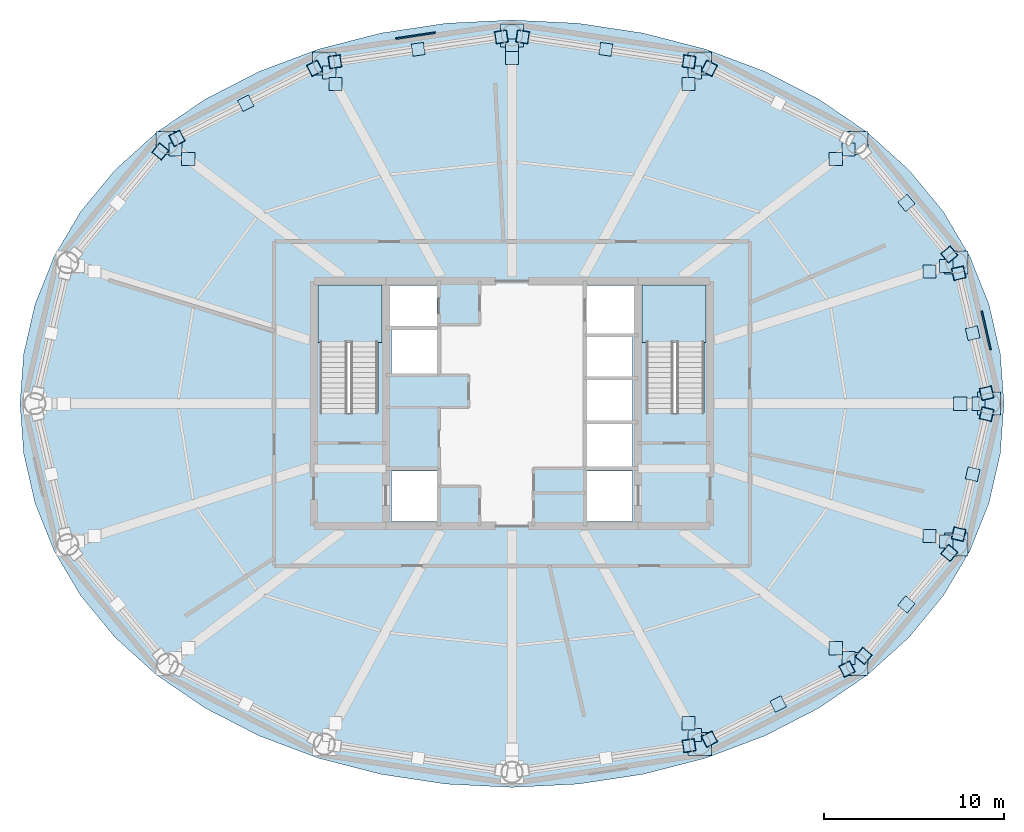
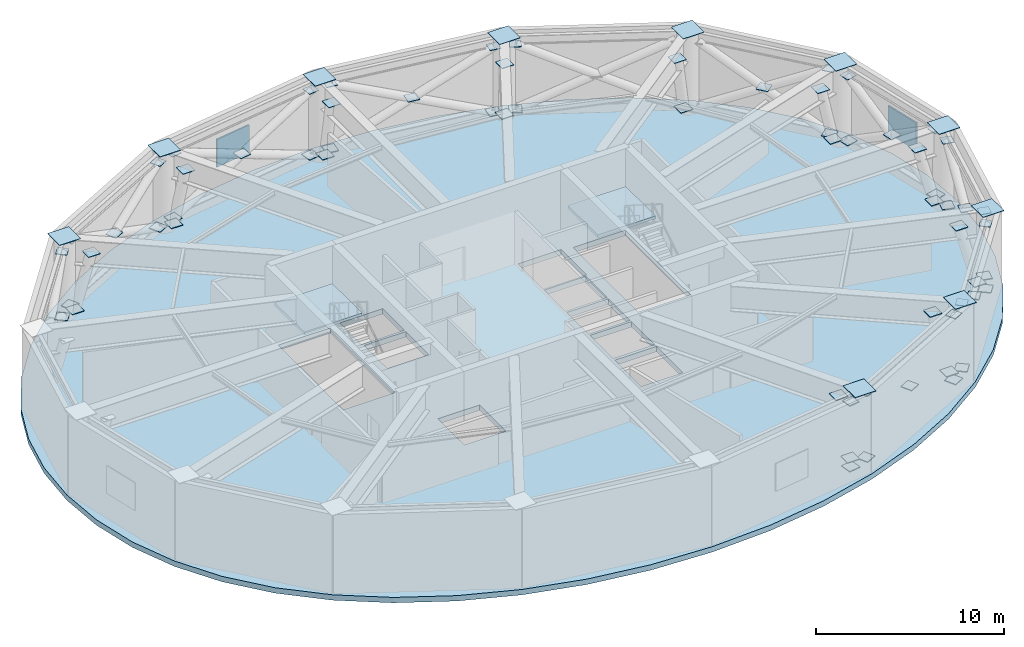
# One storey, part 4 of 8: 76 plates, 3 slabs, 2 elements without a shape of their own.
"""IFC4 building model written with IfcOpenShell, lengths in metres."""

from ifc_helpers import new_model, si_unit, direction, frame, origin, origin_2d, place, context, subcontext, project, spatial, polyline, rectangle, outline, extrude, material, layer, layer_set, type_object, element, aggregate, save


model = new_model("IFC4")

# Units and contexts
model_context = context("Model", 3, precision=1e-05, world=origin(), true_north=direction((0.0, 1.0)))
body_context = subcontext(model_context, "Body", "Model", "MODEL_VIEW")
ifc_project = project(units=[si_unit("LENGTHUNIT", "METRE"), si_unit("AREAUNIT", "SQUARE_METRE"), si_unit("VOLUMEUNIT", "CUBIC_METRE"), si_unit("PLANEANGLEUNIT", "RADIAN"), si_unit("MASSUNIT", "GRAM", prefix="KILO")], contexts=[model_context])

# Site, building, storey
site_placement = place(None, origin())
site = spatial("IfcSite", under=ifc_project, at=site_placement, CompositionType="ELEMENT")
building_placement = place(site_placement, origin())
building = spatial("IfcBuilding", under=site, at=building_placement, Name="Sarneth Arch Tower", CompositionType="ELEMENT")
storey_placement = place(building_placement, frame((0.0, 0.0, 201.0)))
storey = spatial("IfcBuildingStorey", under=building, at=storey_placement, Name="L51", CompositionType="ELEMENT", Elevation=201.0)

# Plates
ifc_material_1 = material(Name="Powder-coated Aluminium 6063-T6 stormproof acoustic louvre", Category="aluminium")
ifc_layer_1 = layer(ifc_material_1, 0.094970703125)
ifc_layer_set_1 = layer_set([ifc_layer_1], Name="Powder-coated Aluminium 6063-T6 stormproof acoustic louvre")
plate_type_1 = type_object("IfcPlateType", Name="LOUVRE-PLANT", PredefinedType="SHEET", material=ifc_layer_set_1)
for number, where, z_axis, x_axis, name in (
    (1, (74.31201171875, 46.0673828125, 1.6748046875), (0.0, 0.0, 1.0), (-0.225461202458, 0.974252147129, 0.0), "L51 Mechanical louvre 01"),
    (2, (42.646240234375, 62.426025390625, 1.6748046875), (0.0, 0.0, 1.0), (-0.988860535448, -0.148845024885, 0.0), "L51 Mechanical louvre 05"),
):
    element("IfcPlate", number, at=place(storey_placement, frame(where, z_axis=z_axis, x_axis=x_axis)), inside=storey, type_object=plate_type_1, Name=name, PredefinedType="SHEET", context=body_context, shape_type="SweptSolid", body=[
        extrude(rectangle(XDim=2.199951171875, YDim=0.094970703125, at=origin_2d()), origin(), (0.0, 0.0, 1.0), 1.800048828125),
    ])
ifc_material_2 = material(Name="Steel S355", Category="steel")
ifc_layer_2 = layer(ifc_material_2, 0.035888671875)
ifc_layer_set_2 = layer_set([ifc_layer_2], Name="Steel S355")
plate_type_2 = type_object("IfcPlateType", Name="PLT-GUSSET-30", PredefinedType="SHEET", material=ifc_layer_set_2)
plate_1_placement = place(storey_placement, frame((73.574462890625, 45.912841796875, 2.44775390625), z_axis=(0.0, 0.0, 1.0), x_axis=(-0.227161248969, 0.973857159427, 0.0)))
element("IfcPlate", 3, at=plate_1_placement, inside=storey, type_object=plate_type_2, Name="Steel end cap plate GP-1", PredefinedType="SHEET", context=body_context, shape_type="SweptSolid", body=[
    extrude(rectangle(XDim=0.679931640625, YDim=0.679931640625, at=origin_2d()), origin(), (0.0, 0.0, 1.0), 0.035888671875),
])
for number, where, z_axis, x_axis, name in (
    (4, (74.350830078125, 42.584228515625, 0.33203125), (0.0, 0.0, 1.0), (0.227161248969, -0.973857159427, 0.0), "Steel end cap plate GP-1"),
    (5, (72.79833984375, 49.241455078125, 0.33203125), (0.0, 0.0, 1.0), (-0.227161248969, 0.973857159427, 0.0), "Steel end cap plate GP-1"),
):
    element("IfcPlate", number, at=place(storey_placement, frame(where, z_axis=z_axis, x_axis=x_axis)), inside=storey, type_object=plate_type_2, Name=name, PredefinedType="SHEET", context=body_context, shape_type="SweptSolid", body=[
        extrude(rectangle(XDim=0.699951171875, YDim=0.699951171875, at=origin_2d()), origin(), (0.0, 0.0, 1.0), 0.035888671875),
    ])
for number, where, z_axis, x_axis, name in (
    (6, (74.350830078125, 42.584228515625, 4.56298828125), (0.0, 0.0, 1.0), (0.227161248969, -0.973857159427, 0.0), "Steel end cap plate GP-1"),
    (7, (72.79833984375, 49.241455078125, 4.56298828125), (0.0, 0.0, 1.0), (-0.227161248969, 0.973857159427, 0.0), "Steel end cap plate GP-1"),
):
    element("IfcPlate", number, at=place(storey_placement, frame(where, z_axis=z_axis, x_axis=x_axis)), inside=storey, type_object=plate_type_2, Name=name, PredefinedType="SHEET", context=body_context, shape_type="SweptSolid", body=[
        extrude(rectangle(XDim=0.6298828125, YDim=0.6298828125, at=origin_2d()), origin(), (0.0, 0.0, 1.0), 0.035888671875),
    ])
for number, where, z_axis, x_axis, name in (
    (8, (73.906982421875, 42.0, 0.43212890625), (0.0, 0.0, 1.0), (1.0, 0.0, 0.0), "Steel end cap plate GP-1"),
    (9, (72.88330078125, 42.0, 4.224609375), (0.0, 0.0, 1.0), (1.0, 0.0, 0.0), "Steel end cap plate GP-1"),
):
    element("IfcPlate", number, at=place(storey_placement, frame(where, z_axis=z_axis, x_axis=x_axis)), inside=storey, type_object=plate_type_2, Name=name, PredefinedType="SHEET", context=body_context, shape_type="SweptSolid", body=[
        extrude(rectangle(XDim=0.72998046875, YDim=0.72998046875, at=origin_2d()), origin(), (0.0, 0.0, 1.0), 0.035888671875),
    ])
plate_2_placement = place(storey_placement, frame((69.89794921875, 53.14306640625, 2.44775390625), z_axis=(0.0, 0.0, 1.0), x_axis=(-0.640109699485, 0.768283523594, 0.0)))
element("IfcPlate", 10, at=plate_2_placement, inside=storey, type_object=plate_type_2, Name="Steel end cap plate GP-1", PredefinedType="SHEET", context=body_context, shape_type="SweptSolid", body=[
    extrude(rectangle(XDim=0.679931640625, YDim=0.679931640625, at=origin_2d()), origin(), (0.0, 0.0, 1.0), 0.035888671875),
])
plate_3_placement = place(storey_placement, frame((72.278076171875, 50.286865234375, 0.33203125), z_axis=(0.0, 0.0, 1.0), x_axis=(0.640109699485, -0.768283523594, 0.0)))
element("IfcPlate", 11, at=plate_3_placement, inside=storey, type_object=plate_type_2, Name="Steel end cap plate GP-1", PredefinedType="SHEET", context=body_context, shape_type="SweptSolid", body=[
    extrude(rectangle(XDim=0.699951171875, YDim=0.699951171875, at=origin_2d()), origin(), (0.0, 0.0, 1.0), 0.035888671875),
])
plate_4_placement = place(storey_placement, frame((72.278076171875, 50.286865234375, 4.56298828125), z_axis=(0.0, 0.0, 1.0), x_axis=(0.640109699485, -0.768283523594, 0.0)))
element("IfcPlate", 12, at=plate_4_placement, inside=storey, type_object=plate_type_2, Name="Steel end cap plate GP-1", PredefinedType="SHEET", context=body_context, shape_type="SweptSolid", body=[
    extrude(rectangle(XDim=0.6298828125, YDim=0.6298828125, at=origin_2d()), origin(), (0.0, 0.0, 1.0), 0.035888671875),
])
for number, where, z_axis, x_axis, name in (
    (13, (72.10986328125, 49.64892578125, 0.43212890625), (0.0, 0.0, 1.0), (1.0, 0.0, 0.0), "Steel end cap plate GP-1"),
    (14, (71.1689453125, 49.347412109375, 4.224609375), (0.0, 0.0, 1.0), (1.0, 0.0, 0.0), "Steel end cap plate GP-1"),
):
    element("IfcPlate", number, at=place(storey_placement, frame(where, z_axis=z_axis, x_axis=x_axis)), inside=storey, type_object=plate_type_2, Name=name, PredefinedType="SHEET", context=body_context, shape_type="SweptSolid", body=[
        extrude(rectangle(XDim=0.72998046875, YDim=0.72998046875, at=origin_2d()), origin(), (0.0, 0.0, 1.0), 0.035888671875),
    ])
plate_5_placement = place(storey_placement, frame((58.95654296875, 60.621337890625, 0.33203125), z_axis=(0.0, 0.0, 1.0), x_axis=(-0.89124411091, 0.453523907604, 0.0)))
element("IfcPlate", 15, at=plate_5_placement, inside=storey, type_object=plate_type_2, Name="Steel end cap plate GP-1", PredefinedType="SHEET", context=body_context, shape_type="SweptSolid", body=[
    extrude(rectangle(XDim=0.699951171875, YDim=0.699951171875, at=origin_2d()), origin(), (0.0, 0.0, 1.0), 0.035888671875),
])
plate_6_placement = place(storey_placement, frame((58.95654296875, 60.621337890625, 4.56298828125), z_axis=(0.0, 0.0, 1.0), x_axis=(-0.89124411091, 0.453523907604, 0.0)))
element("IfcPlate", 16, at=plate_6_placement, inside=storey, type_object=plate_type_2, Name="Steel end cap plate GP-1", PredefinedType="SHEET", context=body_context, shape_type="SweptSolid", body=[
    extrude(rectangle(XDim=0.6298828125, YDim=0.6298828125, at=origin_2d()), origin(), (0.0, 0.0, 1.0), 0.035888671875),
])
for number, where, z_axis, x_axis, name in (
    (17, (66.672607421875, 56.108642578125, 0.43212890625), (0.0, 0.0, 1.0), (1.0, 0.0, 0.0), "Steel end cap plate GP-1"),
    (18, (65.975341796875, 55.576416015625, 4.224609375), (0.0, 0.0, 1.0), (1.0, 0.0, 0.0), "Steel end cap plate GP-1"),
):
    element("IfcPlate", number, at=place(storey_placement, frame(where, z_axis=z_axis, x_axis=x_axis)), inside=storey, type_object=plate_type_2, Name=name, PredefinedType="SHEET", context=body_context, shape_type="SweptSolid", body=[
        extrude(rectangle(XDim=0.72998046875, YDim=0.72998046875, at=origin_2d()), origin(), (0.0, 0.0, 1.0), 0.035888671875),
    ])
plate_7_placement = place(storey_placement, frame((53.2109375, 61.671630859375, 2.44775390625), z_axis=(0.0, 0.0, 1.0), x_axis=(-0.989015863362, 0.14780941113, 0.0)))
element("IfcPlate", 19, at=plate_7_placement, inside=storey, type_object=plate_type_2, Name="Steel end cap plate GP-1", PredefinedType="SHEET", context=body_context, shape_type="SweptSolid", body=[
    extrude(rectangle(XDim=0.679931640625, YDim=0.679931640625, at=origin_2d()), origin(), (0.0, 0.0, 1.0), 0.035888671875),
])
for number, where, z_axis, x_axis, name in (
    (20, (57.828369140625, 60.98193359375, 0.33203125), (0.0, 0.0, 1.0), (0.989015863362, -0.14780941113, 0.0), "Steel end cap plate GP-1"),
    (21, (48.593505859375, 62.361328125, 0.33203125), (0.0, 0.0, 1.0), (-0.989015863362, 0.14780941113, 0.0), "Steel end cap plate GP-1"),
):
    element("IfcPlate", number, at=place(storey_placement, frame(where, z_axis=z_axis, x_axis=x_axis)), inside=storey, type_object=plate_type_2, Name=name, PredefinedType="SHEET", context=body_context, shape_type="SweptSolid", body=[
        extrude(rectangle(XDim=0.699951171875, YDim=0.699951171875, at=origin_2d()), origin(), (0.0, 0.0, 1.0), 0.035888671875),
    ])
for number, where, z_axis, x_axis, name in (
    (22, (57.828369140625, 60.98193359375, 4.56298828125), (0.0, 0.0, 1.0), (0.989015863362, -0.14780941113, 0.0), "Steel end cap plate GP-1"),
    (23, (48.593505859375, 62.361328125, 4.56298828125), (0.0, 0.0, 1.0), (-0.989015863362, 0.14780941113, 0.0), "Steel end cap plate GP-1"),
):
    element("IfcPlate", number, at=place(storey_placement, frame(where, z_axis=z_axis, x_axis=x_axis)), inside=storey, type_object=plate_type_2, Name=name, PredefinedType="SHEET", context=body_context, shape_type="SweptSolid", body=[
        extrude(rectangle(XDim=0.6298828125, YDim=0.6298828125, at=origin_2d()), origin(), (0.0, 0.0, 1.0), 0.035888671875),
    ])
for number, where, z_axis, x_axis, name in (
    (24, (58.143798828125, 60.38427734375, 0.43212890625), (0.0, 0.0, 1.0), (1.0, 0.0, 0.0), "Steel end cap plate GP-1"),
    (25, (57.790771484375, 59.738525390625, 4.224609375), (0.0, 0.0, 1.0), (1.0, 0.0, 0.0), "Steel end cap plate GP-1"),
):
    element("IfcPlate", number, at=place(storey_placement, frame(where, z_axis=z_axis, x_axis=x_axis)), inside=storey, type_object=plate_type_2, Name=name, PredefinedType="SHEET", context=body_context, shape_type="SweptSolid", body=[
        extrude(rectangle(XDim=0.72998046875, YDim=0.72998046875, at=origin_2d()), origin(), (0.0, 0.0, 1.0), 0.035888671875),
    ])
plate_8_placement = place(storey_placement, frame((42.7890625, 61.671630859375, 2.44775390625), z_axis=(0.0, 0.0, 1.0), x_axis=(-0.989015863362, -0.14780941113, 0.0)))
element("IfcPlate", 26, at=plate_8_placement, inside=storey, type_object=plate_type_2, Name="Steel end cap plate GP-1", PredefinedType="SHEET", context=body_context, shape_type="SweptSolid", body=[
    extrude(rectangle(XDim=0.679931640625, YDim=0.679931640625, at=origin_2d()), origin(), (0.0, 0.0, 1.0), 0.035888671875),
])
for number, where, z_axis, x_axis, name in (
    (27, (47.406494140625, 62.361328125, 0.33203125), (0.0, 0.0, 1.0), (0.989015863362, 0.14780941113, 0.0), "Steel end cap plate GP-1"),
    (28, (38.171630859375, 60.98193359375, 0.33203125), (0.0, 0.0, 1.0), (-0.989015863362, -0.14780941113, 0.0), "Steel end cap plate GP-1"),
):
    element("IfcPlate", number, at=place(storey_placement, frame(where, z_axis=z_axis, x_axis=x_axis)), inside=storey, type_object=plate_type_2, Name=name, PredefinedType="SHEET", context=body_context, shape_type="SweptSolid", body=[
        extrude(rectangle(XDim=0.699951171875, YDim=0.699951171875, at=origin_2d()), origin(), (0.0, 0.0, 1.0), 0.035888671875),
    ])
for number, where, z_axis, x_axis, name in (
    (29, (47.406494140625, 62.361328125, 4.56298828125), (0.0, 0.0, 1.0), (0.989015863362, 0.14780941113, 0.0), "Steel end cap plate GP-1"),
    (30, (38.171630859375, 60.98193359375, 4.56298828125), (0.0, 0.0, 1.0), (-0.989015863362, -0.14780941113, 0.0), "Steel end cap plate GP-1"),
):
    element("IfcPlate", number, at=place(storey_placement, frame(where, z_axis=z_axis, x_axis=x_axis)), inside=storey, type_object=plate_type_2, Name=name, PredefinedType="SHEET", context=body_context, shape_type="SweptSolid", body=[
        extrude(rectangle(XDim=0.6298828125, YDim=0.6298828125, at=origin_2d()), origin(), (0.0, 0.0, 1.0), 0.035888671875),
    ])
for number, where, z_axis, x_axis, name in (
    (31, (48.0, 61.8701171875, 0.43212890625), (0.0, 0.0, 1.0), (1.0, 0.0, 0.0), "Steel end cap plate GP-1"),
    (32, (48.0, 61.199951171875, 4.224609375), (0.0, 0.0, 1.0), (1.0, 0.0, 0.0), "Steel end cap plate GP-1"),
):
    element("IfcPlate", number, at=place(storey_placement, frame(where, z_axis=z_axis, x_axis=x_axis)), inside=storey, type_object=plate_type_2, Name=name, PredefinedType="SHEET", context=body_context, shape_type="SweptSolid", body=[
        extrude(rectangle(XDim=0.72998046875, YDim=0.72998046875, at=origin_2d()), origin(), (0.0, 0.0, 1.0), 0.035888671875),
    ])
plate_9_placement = place(storey_placement, frame((33.22216796875, 58.6767578125, 2.44775390625), z_axis=(0.0, 0.0, 1.0), x_axis=(-0.89124411091, -0.453523907604, 0.0)))
element("IfcPlate", 33, at=plate_9_placement, inside=storey, type_object=plate_type_2, Name="Steel end cap plate GP-1", PredefinedType="SHEET", context=body_context, shape_type="SweptSolid", body=[
    extrude(rectangle(XDim=0.679931640625, YDim=0.679931640625, at=origin_2d()), origin(), (0.0, 0.0, 1.0), 0.035888671875),
])
for number, where, z_axis, x_axis, name in (
    (34, (37.04345703125, 60.621337890625, 0.33203125), (0.0, 0.0, 1.0), (0.89124411091, 0.453523907604, 0.0), "Steel end cap plate GP-1"),
    (35, (29.40087890625, 56.732421875, 0.33203125), (0.0, 0.0, 1.0), (-0.89124411091, -0.453523907604, 0.0), "Steel end cap plate GP-1"),
):
    element("IfcPlate", number, at=place(storey_placement, frame(where, z_axis=z_axis, x_axis=x_axis)), inside=storey, type_object=plate_type_2, Name=name, PredefinedType="SHEET", context=body_context, shape_type="SweptSolid", body=[
        extrude(rectangle(XDim=0.699951171875, YDim=0.699951171875, at=origin_2d()), origin(), (0.0, 0.0, 1.0), 0.035888671875),
    ])
for number, where, z_axis, x_axis, name in (
    (36, (37.04345703125, 60.621337890625, 4.56298828125), (0.0, 0.0, 1.0), (0.89124411091, 0.453523907604, 0.0), "Steel end cap plate GP-1"),
    (37, (29.40087890625, 56.732421875, 4.56298828125), (0.0, 0.0, 1.0), (-0.89124411091, -0.453523907604, 0.0), "Steel end cap plate GP-1"),
):
    element("IfcPlate", number, at=place(storey_placement, frame(where, z_axis=z_axis, x_axis=x_axis)), inside=storey, type_object=plate_type_2, Name=name, PredefinedType="SHEET", context=body_context, shape_type="SweptSolid", body=[
        extrude(rectangle(XDim=0.6298828125, YDim=0.6298828125, at=origin_2d()), origin(), (0.0, 0.0, 1.0), 0.035888671875),
    ])
for number, where, z_axis, x_axis, name in (
    (38, (37.856201171875, 60.38427734375, 0.43212890625), (0.0, 0.0, 1.0), (1.0, 0.0, 0.0), "Steel end cap plate GP-1"),
    (39, (38.209228515625, 59.738525390625, 4.224609375), (0.0, 0.0, 1.0), (1.0, 0.0, 0.0), "Steel end cap plate GP-1"),
):
    element("IfcPlate", number, at=place(storey_placement, frame(where, z_axis=z_axis, x_axis=x_axis)), inside=storey, type_object=plate_type_2, Name=name, PredefinedType="SHEET", context=body_context, shape_type="SweptSolid", body=[
        extrude(rectangle(XDim=0.72998046875, YDim=0.72998046875, at=origin_2d()), origin(), (0.0, 0.0, 1.0), 0.035888671875),
    ])
plate_10_placement = place(storey_placement, frame((28.482177734375, 55.99951171875, 0.33203125), z_axis=(0.0, 0.0, 1.0), x_axis=(0.640109699485, 0.768283523594, 0.0)))
element("IfcPlate", 40, at=plate_10_placement, inside=storey, type_object=plate_type_2, Name="Steel end cap plate GP-1", PredefinedType="SHEET", context=body_context, shape_type="SweptSolid", body=[
    extrude(rectangle(XDim=0.699951171875, YDim=0.699951171875, at=origin_2d()), origin(), (0.0, 0.0, 1.0), 0.035888671875),
])
plate_11_placement = place(storey_placement, frame((28.482177734375, 55.99951171875, 4.56298828125), z_axis=(0.0, 0.0, 1.0), x_axis=(0.640109699485, 0.768283523594, 0.0)))
element("IfcPlate", 41, at=plate_11_placement, inside=storey, type_object=plate_type_2, Name="Steel end cap plate GP-1", PredefinedType="SHEET", context=body_context, shape_type="SweptSolid", body=[
    extrude(rectangle(XDim=0.6298828125, YDim=0.6298828125, at=origin_2d()), origin(), (0.0, 0.0, 1.0), 0.035888671875),
])
for number, where, z_axis, x_axis, name in (
    (42, (29.327392578125, 56.108642578125, 0.43212890625), (0.0, 0.0, 1.0), (1.0, 0.0, 0.0), "Steel end cap plate GP-1"),
    (43, (30.024658203125, 55.576416015625, 4.224609375), (0.0, 0.0, 1.0), (1.0, 0.0, 0.0), "Steel end cap plate GP-1"),
):
    element("IfcPlate", number, at=place(storey_placement, frame(where, z_axis=z_axis, x_axis=x_axis)), inside=storey, type_object=plate_type_2, Name=name, PredefinedType="SHEET", context=body_context, shape_type="SweptSolid", body=[
        extrude(rectangle(XDim=0.72998046875, YDim=0.72998046875, at=origin_2d()), origin(), (0.0, 0.0, 1.0), 0.035888671875),
    ])
plate_12_placement = place(storey_placement, frame((57.828369140625, 23.01806640625, 0.33203125), z_axis=(0.0, 0.0, 1.0), x_axis=(0.989015863362, 0.14780941113, 0.0)))
element("IfcPlate", 44, at=plate_12_placement, inside=storey, type_object=plate_type_2, Name="Steel end cap plate GP-1", PredefinedType="SHEET", context=body_context, shape_type="SweptSolid", body=[
    extrude(rectangle(XDim=0.699951171875, YDim=0.699951171875, at=origin_2d()), origin(), (0.0, 0.0, 1.0), 0.035888671875),
])
plate_13_placement = place(storey_placement, frame((57.828369140625, 23.01806640625, 4.56298828125), z_axis=(0.0, 0.0, 1.0), x_axis=(0.989015863362, 0.14780941113, 0.0)))
element("IfcPlate", 45, at=plate_13_placement, inside=storey, type_object=plate_type_2, Name="Steel end cap plate GP-1", PredefinedType="SHEET", context=body_context, shape_type="SweptSolid", body=[
    extrude(rectangle(XDim=0.6298828125, YDim=0.6298828125, at=origin_2d()), origin(), (0.0, 0.0, 1.0), 0.035888671875),
])
plate_14_placement = place(storey_placement, frame((62.77783203125, 25.3232421875, 2.44775390625), z_axis=(0.0, 0.0, 1.0), x_axis=(0.89124411091, 0.453523907604, 0.0)))
element("IfcPlate", 46, at=plate_14_placement, inside=storey, type_object=plate_type_2, Name="Steel end cap plate GP-1", PredefinedType="SHEET", context=body_context, shape_type="SweptSolid", body=[
    extrude(rectangle(XDim=0.679931640625, YDim=0.679931640625, at=origin_2d()), origin(), (0.0, 0.0, 1.0), 0.035888671875),
])
for number, where, z_axis, x_axis, name in (
    (47, (58.95654296875, 23.378662109375, 0.33203125), (0.0, 0.0, 1.0), (-0.89124411091, -0.453523907604, 0.0), "Steel end cap plate GP-1"),
    (48, (66.59912109375, 27.267578125, 0.33203125), (0.0, 0.0, 1.0), (0.89124411091, 0.453523907604, 0.0), "Steel end cap plate GP-1"),
):
    element("IfcPlate", number, at=place(storey_placement, frame(where, z_axis=z_axis, x_axis=x_axis)), inside=storey, type_object=plate_type_2, Name=name, PredefinedType="SHEET", context=body_context, shape_type="SweptSolid", body=[
        extrude(rectangle(XDim=0.699951171875, YDim=0.699951171875, at=origin_2d()), origin(), (0.0, 0.0, 1.0), 0.035888671875),
    ])
for number, where, z_axis, x_axis, name in (
    (49, (58.95654296875, 23.378662109375, 4.56298828125), (0.0, 0.0, 1.0), (-0.89124411091, -0.453523907604, 0.0), "Steel end cap plate GP-1"),
    (50, (66.59912109375, 27.267578125, 4.56298828125), (0.0, 0.0, 1.0), (0.89124411091, 0.453523907604, 0.0), "Steel end cap plate GP-1"),
):
    element("IfcPlate", number, at=place(storey_placement, frame(where, z_axis=z_axis, x_axis=x_axis)), inside=storey, type_object=plate_type_2, Name=name, PredefinedType="SHEET", context=body_context, shape_type="SweptSolid", body=[
        extrude(rectangle(XDim=0.6298828125, YDim=0.6298828125, at=origin_2d()), origin(), (0.0, 0.0, 1.0), 0.035888671875),
    ])
for number, where, z_axis, x_axis, name in (
    (51, (58.143798828125, 23.61572265625, 0.43212890625), (0.0, 0.0, 1.0), (1.0, 0.0, 0.0), "Steel end cap plate GP-1"),
    (52, (57.790771484375, 24.261474609375, 4.224609375), (0.0, 0.0, 1.0), (1.0, 0.0, 0.0), "Steel end cap plate GP-1"),
):
    element("IfcPlate", number, at=place(storey_placement, frame(where, z_axis=z_axis, x_axis=x_axis)), inside=storey, type_object=plate_type_2, Name=name, PredefinedType="SHEET", context=body_context, shape_type="SweptSolid", body=[
        extrude(rectangle(XDim=0.72998046875, YDim=0.72998046875, at=origin_2d()), origin(), (0.0, 0.0, 1.0), 0.035888671875),
    ])
plate_15_placement = place(storey_placement, frame((69.89794921875, 30.85693359375, 2.44775390625), z_axis=(0.0, 0.0, 1.0), x_axis=(0.640109699485, 0.768283523594, 0.0)))
element("IfcPlate", 53, at=plate_15_placement, inside=storey, type_object=plate_type_2, Name="Steel end cap plate GP-1", PredefinedType="SHEET", context=body_context, shape_type="SweptSolid", body=[
    extrude(rectangle(XDim=0.679931640625, YDim=0.679931640625, at=origin_2d()), origin(), (0.0, 0.0, 1.0), 0.035888671875),
])
for number, where, z_axis, x_axis, name in (
    (54, (67.517822265625, 28.00048828125, 0.33203125), (0.0, 0.0, 1.0), (-0.640109699485, -0.768283523594, 0.0), "Steel end cap plate GP-1"),
    (55, (72.278076171875, 33.713134765625, 0.33203125), (0.0, 0.0, 1.0), (0.640109699485, 0.768283523594, 0.0), "Steel end cap plate GP-1"),
):
    element("IfcPlate", number, at=place(storey_placement, frame(where, z_axis=z_axis, x_axis=x_axis)), inside=storey, type_object=plate_type_2, Name=name, PredefinedType="SHEET", context=body_context, shape_type="SweptSolid", body=[
        extrude(rectangle(XDim=0.699951171875, YDim=0.699951171875, at=origin_2d()), origin(), (0.0, 0.0, 1.0), 0.035888671875),
    ])
for number, where, z_axis, x_axis, name in (
    (56, (67.517822265625, 28.00048828125, 4.56298828125), (0.0, 0.0, 1.0), (-0.640109699485, -0.768283523594, 0.0), "Steel end cap plate GP-1"),
    (57, (72.278076171875, 33.713134765625, 4.56298828125), (0.0, 0.0, 1.0), (0.640109699485, 0.768283523594, 0.0), "Steel end cap plate GP-1"),
):
    element("IfcPlate", number, at=place(storey_placement, frame(where, z_axis=z_axis, x_axis=x_axis)), inside=storey, type_object=plate_type_2, Name=name, PredefinedType="SHEET", context=body_context, shape_type="SweptSolid", body=[
        extrude(rectangle(XDim=0.6298828125, YDim=0.6298828125, at=origin_2d()), origin(), (0.0, 0.0, 1.0), 0.035888671875),
    ])
for number, where, z_axis, x_axis, name in (
    (58, (66.672607421875, 27.891357421875, 0.43212890625), (0.0, 0.0, 1.0), (1.0, 0.0, 0.0), "Steel end cap plate GP-1"),
    (59, (65.975341796875, 28.423583984375, 4.224609375), (0.0, 0.0, 1.0), (1.0, 0.0, 0.0), "Steel end cap plate GP-1"),
):
    element("IfcPlate", number, at=place(storey_placement, frame(where, z_axis=z_axis, x_axis=x_axis)), inside=storey, type_object=plate_type_2, Name=name, PredefinedType="SHEET", context=body_context, shape_type="SweptSolid", body=[
        extrude(rectangle(XDim=0.72998046875, YDim=0.72998046875, at=origin_2d()), origin(), (0.0, 0.0, 1.0), 0.035888671875),
    ])
plate_16_placement = place(storey_placement, frame((73.574462890625, 38.087158203125, 2.44775390625), z_axis=(0.0, 0.0, 1.0), x_axis=(0.227161248969, 0.973857159427, 0.0)))
element("IfcPlate", 60, at=plate_16_placement, inside=storey, type_object=plate_type_2, Name="Steel end cap plate GP-1", PredefinedType="SHEET", context=body_context, shape_type="SweptSolid", body=[
    extrude(rectangle(XDim=0.679931640625, YDim=0.679931640625, at=origin_2d()), origin(), (0.0, 0.0, 1.0), 0.035888671875),
])
for number, where, z_axis, x_axis, name in (
    (61, (72.79833984375, 34.758544921875, 0.33203125), (0.0, 0.0, 1.0), (-0.227161248969, -0.973857159427, 0.0), "Steel end cap plate GP-1"),
    (62, (74.350830078125, 41.415771484375, 0.33203125), (0.0, 0.0, 1.0), (0.227161248969, 0.973857159427, 0.0), "Steel end cap plate GP-1"),
):
    element("IfcPlate", number, at=place(storey_placement, frame(where, z_axis=z_axis, x_axis=x_axis)), inside=storey, type_object=plate_type_2, Name=name, PredefinedType="SHEET", context=body_context, shape_type="SweptSolid", body=[
        extrude(rectangle(XDim=0.699951171875, YDim=0.699951171875, at=origin_2d()), origin(), (0.0, 0.0, 1.0), 0.035888671875),
    ])
for number, where, z_axis, x_axis, name in (
    (63, (72.79833984375, 34.758544921875, 4.56298828125), (0.0, 0.0, 1.0), (-0.227161248969, -0.973857159427, 0.0), "Steel end cap plate GP-1"),
    (64, (74.350830078125, 41.415771484375, 4.56298828125), (0.0, 0.0, 1.0), (0.227161248969, 0.973857159427, 0.0), "Steel end cap plate GP-1"),
):
    element("IfcPlate", number, at=place(storey_placement, frame(where, z_axis=z_axis, x_axis=x_axis)), inside=storey, type_object=plate_type_2, Name=name, PredefinedType="SHEET", context=body_context, shape_type="SweptSolid", body=[
        extrude(rectangle(XDim=0.6298828125, YDim=0.6298828125, at=origin_2d()), origin(), (0.0, 0.0, 1.0), 0.035888671875),
    ])
for number, where, z_axis, x_axis, name in (
    (65, (72.10986328125, 34.35107421875, 0.43212890625), (0.0, 0.0, 1.0), (1.0, 0.0, 0.0), "Steel end cap plate GP-1"),
    (66, (71.1689453125, 34.652587890625, 4.224609375), (0.0, 0.0, 1.0), (1.0, 0.0, 0.0), "Steel end cap plate GP-1"),
):
    element("IfcPlate", number, at=place(storey_placement, frame(where, z_axis=z_axis, x_axis=x_axis)), inside=storey, type_object=plate_type_2, Name=name, PredefinedType="SHEET", context=body_context, shape_type="SweptSolid", body=[
        extrude(rectangle(XDim=0.72998046875, YDim=0.72998046875, at=origin_2d()), origin(), (0.0, 0.0, 1.0), 0.035888671875),
    ])
ifc_material_3 = material(Name="Steel S355", Category="steel")
ifc_layer_3 = layer(ifc_material_3, 0.0400390625)
ifc_layer_set_3 = layer_set([ifc_layer_3], Name="Steel S355")
plate_type_3 = type_object("IfcPlateType", Name="PLT-SPLICE-40", PredefinedType="SHEET", material=ifc_layer_set_3)
for number, where, z_axis, x_axis, name in (
    (67, (74.487060546875, 42.0, 5.1318359375), (0.0, 0.0, 1.0), (1.0, 0.0, 0.0), "Steel end cap plate GP-2"),
    (68, (72.662109375, 49.825927734375, 5.1318359375), (0.0, 0.0, 1.0), (1.0, 0.0, 0.0), "Steel end cap plate GP-2"),
    (69, (67.1337890625, 56.46044921875, 5.1318359375), (0.0, 0.0, 1.0), (1.0, 0.0, 0.0), "Steel end cap plate GP-2"),
    (70, (58.421875, 60.893310546875, 5.1318359375), (0.0, 0.0, 1.0), (1.0, 0.0, 0.0), "Steel end cap plate GP-2"),
    (71, (48.0, 62.449951171875, 5.1318359375), (0.0, 0.0, 1.0), (1.0, 0.0, 0.0), "Steel end cap plate GP-2"),
    (72, (37.578125, 60.893310546875, 5.1318359375), (0.0, 0.0, 1.0), (1.0, 0.0, 0.0), "Steel end cap plate GP-2"),
    (73, (28.8662109375, 56.46044921875, 5.1318359375), (0.0, 0.0, 1.0), (1.0, 0.0, 0.0), "Steel end cap plate GP-2"),
    (74, (58.421875, 23.106689453125, 5.1318359375), (0.0, 0.0, 1.0), (1.0, 0.0, 0.0), "Steel end cap plate GP-2"),
    (75, (67.1337890625, 27.53955078125, 5.1318359375), (0.0, 0.0, 1.0), (1.0, 0.0, 0.0), "Steel end cap plate GP-2"),
    (76, (72.662109375, 34.174072265625, 5.1318359375), (0.0, 0.0, 1.0), (1.0, 0.0, 0.0), "Steel end cap plate GP-2"),
):
    element("IfcPlate", number, at=place(storey_placement, frame(where, z_axis=z_axis, x_axis=x_axis)), inside=storey, type_object=plate_type_3, Name=name, PredefinedType="SHEET", context=body_context, shape_type="SweptSolid", body=[
        extrude(rectangle(XDim=1.280029296875, YDim=1.280029296875, at=origin_2d()), origin(), (0.0, 0.0, 1.0), 0.035888671875),
    ])

# Stair, slab
ifc_material_4 = material(Name="Concrete C50/60", Category="concrete")
stair_type = type_object("IfcStairType", Name="STAIR-CORE-RC", PredefinedType="HALF_TURN_STAIR", material=ifc_material_4)
stair_1_placement = place(storey_placement, origin())
stair_1 = element("IfcStair", 77, at=stair_1_placement, inside=storey, type_object=stair_type, Name="L51 Core Exit Stair 1", PredefinedType="HALF_TURN_STAIR")
ifc_material_5 = material(Name="Concrete C50/60", Category="concrete")
ifc_layer_4 = layer(ifc_material_5, 0.199951171875)
ifc_layer_set_4 = layer_set([ifc_layer_4], Name="Concrete C50/60")
slab_type_1 = type_object("IfcSlabType", Name="SLAB-LANDING-200", PredefinedType="LANDING", material=ifc_layer_set_4)
slab_1_placement = place(storey_placement, frame((0.0, 0.0, 2.5)))
slab_1 = element("IfcSlab", 78, at=slab_1_placement, type_object=slab_type_1, Name="ST-1 landing 1", PredefinedType="LANDING", context=body_context, shape_type="SweptSolid", body=[
    extrude(outline(polyline([(37.22509765625, 45.409912109375), (40.77490234375, 45.409912109375), (40.77490234375, 48.574951171875), (37.22509765625, 48.574951171875), (37.22509765625, 45.409912109375)])), origin(), (0.0, 0.0, 1.0), 0.199951171875),
])
aggregate(stair_1, [slab_1])

stair_2_placement = place(storey_placement, origin())
stair_2 = element("IfcStair", 79, at=stair_2_placement, inside=storey, type_object=stair_type, Name="L51 Core Exit Stair 2", PredefinedType="HALF_TURN_STAIR")
slab_2_placement = place(storey_placement, frame((0.0, 0.0, 2.5)))
slab_2 = element("IfcSlab", 80, at=slab_2_placement, type_object=slab_type_1, Name="ST-2 landing 1", PredefinedType="LANDING", context=body_context, shape_type="SweptSolid", body=[
    extrude(outline(polyline([(55.22509765625, 45.409912109375), (58.77490234375, 45.409912109375), (58.77490234375, 48.574951171875), (55.22509765625, 48.574951171875), (55.22509765625, 45.409912109375)])), origin(), (0.0, 0.0, 1.0), 0.199951171875),
])
aggregate(stair_2, [slab_2])

# Slab
ifc_material_6 = material(Name="Concrete C60/75", Category="concrete")
ifc_layer_5 = layer(ifc_material_6, 0.35009765625)
ifc_layer_set_5 = layer_set([ifc_layer_5], Name="Concrete C60/75")
slab_type_2 = type_object("IfcSlabType", Name="SLAB-XFER-350", PredefinedType="FLOOR", material=ifc_layer_set_5)
slab_3_placement = place(storey_placement, frame((0.0, 0.0, -0.35009765625)))
element("IfcSlab", 81, at=slab_3_placement, inside=storey, type_object=slab_type_2, Name="L51 Elliptical floor slab", PredefinedType="FLOOR", context=body_context, shape_type="SweptSolid", body=[
    extrude(outline(polyline([(75.313232421875, 42.0), (75.10595703125, 44.7802734375), (74.48095703125, 47.512939453125), (73.431396484375, 50.151123046875), (71.9521484375, 52.64990234375), (70.0458984375, 54.966552734375), (67.730712890625, 57.061279296875), (65.04052734375, 58.8984375), (62.025390625, 60.4462890625), (58.7470703125, 61.6787109375), (55.27197265625, 62.57421875), (51.667724609375, 63.11767578125), (48.0, 63.300048828125), (44.332275390625, 63.11767578125), (40.72802734375, 62.57421875), (37.2529296875, 61.6787109375), (33.974609375, 60.4462890625), (30.95947265625, 58.8984375), (28.269287109375, 57.061279296875), (25.9541015625, 54.966552734375), (24.0478515625, 52.64990234375), (22.568603515625, 50.151123046875), (21.51904296875, 47.512939453125), (20.89404296875, 44.7802734375), (20.686767578125, 42.0), (20.89404296875, 39.2197265625), (21.51904296875, 36.487060546875), (22.568603515625, 33.848876953125), (24.0478515625, 31.35009765625), (25.9541015625, 29.033447265625), (28.269287109375, 26.938720703125), (30.95947265625, 25.1015625), (33.974609375, 23.5537109375), (37.2529296875, 22.3212890625), (40.72802734375, 21.42578125), (44.332275390625, 20.88232421875), (48.0, 20.699951171875), (51.667724609375, 20.88232421875), (55.27197265625, 21.42578125), (58.7470703125, 22.3212890625), (62.025390625, 23.5537109375), (65.04052734375, 25.1015625), (67.730712890625, 26.938720703125), (70.0458984375, 29.033447265625), (71.9521484375, 31.35009765625), (73.431396484375, 33.848876953125), (74.48095703125, 36.487060546875), (75.10595703125, 39.2197265625), (75.313232421875, 42.0)]), holes=[polyline([(37.35009765625, 41.489990234375), (40.550048828125, 41.489990234375), (40.550048828125, 48.39990234375), (37.35009765625, 48.39990234375), (37.35009765625, 41.489990234375)]), polyline([(55.449951171875, 41.489990234375), (58.64990234375, 41.489990234375), (58.64990234375, 48.39990234375), (55.449951171875, 48.39990234375), (55.449951171875, 41.489990234375)]), polyline([(41.199951171875, 46.25), (43.85009765625, 46.25), (43.85009765625, 48.550048828125), (41.199951171875, 48.550048828125), (41.199951171875, 46.25)]), polyline([(41.300048828125, 35.449951171875), (43.85009765625, 35.449951171875), (43.85009765625, 38.25), (41.300048828125, 38.25), (41.300048828125, 35.449951171875)]), polyline([(52.14990234375, 35.449951171875), (54.699951171875, 35.449951171875), (54.699951171875, 38.25), (52.14990234375, 38.25), (52.14990234375, 35.449951171875)]), polyline([(52.14990234375, 45.85009765625), (54.800048828125, 45.85009765625), (54.800048828125, 48.550048828125), (52.14990234375, 48.550048828125), (52.14990234375, 45.85009765625)]), polyline([(41.300048828125, 43.64990234375), (43.85009765625, 43.64990234375), (43.85009765625, 46.10009765625), (41.300048828125, 46.10009765625), (41.300048828125, 43.64990234375)]), polyline([(52.14990234375, 38.449951171875), (54.699951171875, 38.449951171875), (54.699951171875, 40.89990234375), (52.14990234375, 40.89990234375), (52.14990234375, 38.449951171875)]), polyline([(52.14990234375, 41.050048828125), (54.699951171875, 41.050048828125), (54.699951171875, 43.35009765625), (52.14990234375, 43.35009765625), (52.14990234375, 41.050048828125)]), polyline([(52.14990234375, 43.5), (54.699951171875, 43.5), (54.699951171875, 45.75), (52.14990234375, 45.75), (52.14990234375, 43.5)])]), origin(), (0.0, 0.0, 1.0), 0.35009765625),
])

save(model, "model.ifc")
